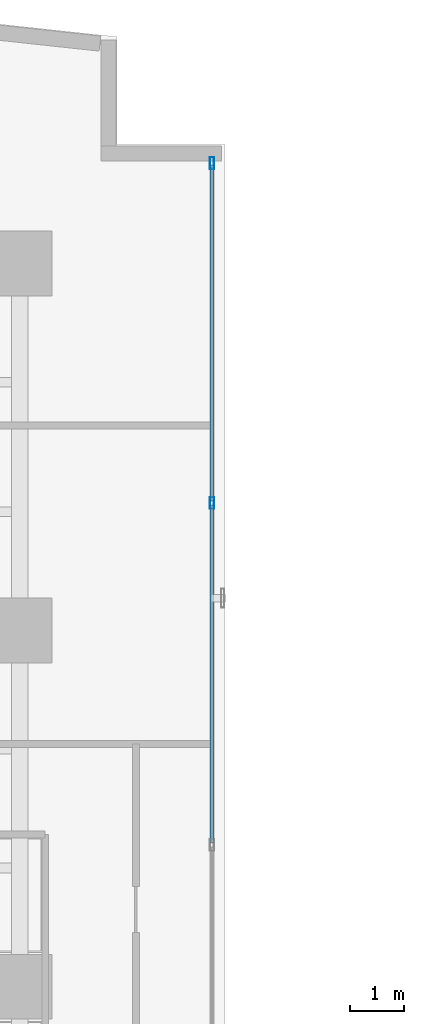
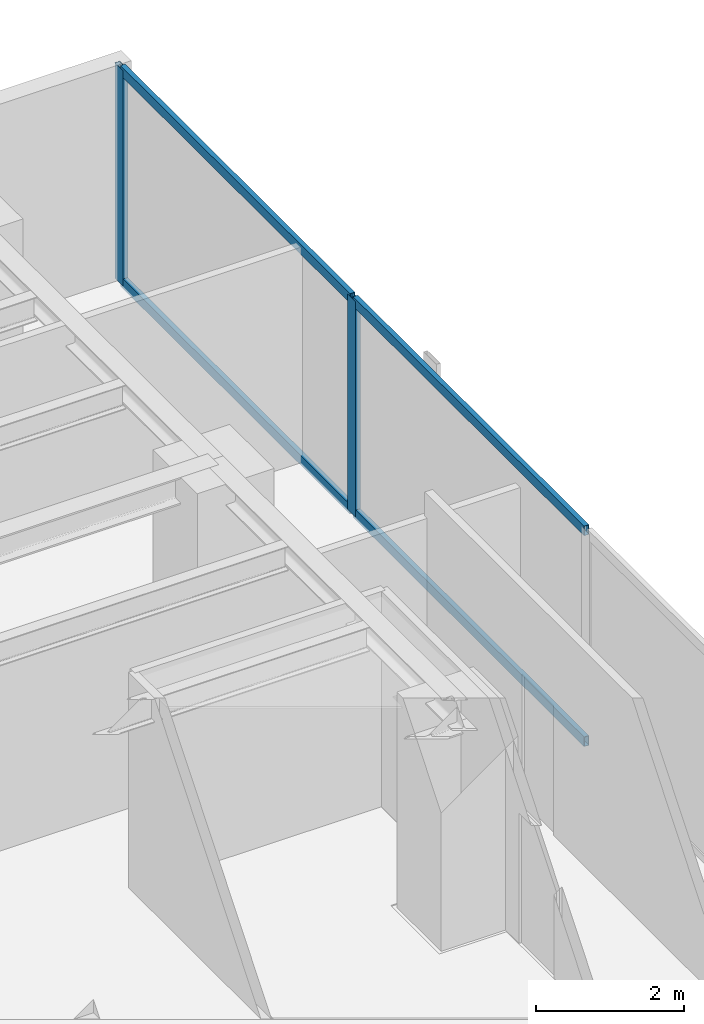
# One storey, part 17 of 26: 6 members, 1 element without a shape of its own.
"""IFC4 building model written with IfcOpenShell, lengths in metres."""

from ifc_helpers import new_model, si_unit, direction, frame, origin, origin_with_axes, origin_2d, place, context, subcontext, project, spatial, hollow_rectangle, extrude, source, transform, mapped, material, layer, layer_set, material_profile, profile_set, type_object, element, aggregate, save


model = new_model("IFC4")

# Units and contexts
model_context = context("Model", 3, precision=1e-05, world=origin(), true_north=direction((0.0, 1.0)))
body_context = subcontext(model_context, "Body", "Model", "MODEL_VIEW")
ifc_project = project(units=[si_unit("LENGTHUNIT", "METRE"), si_unit("AREAUNIT", "SQUARE_METRE"), si_unit("VOLUMEUNIT", "CUBIC_METRE"), si_unit("PLANEANGLEUNIT", "RADIAN"), si_unit("MASSUNIT", "GRAM", prefix="KILO")], contexts=[model_context])

# Site, building, storey
site_placement = place(None, origin())
site = spatial("IfcSite", under=ifc_project, at=site_placement, CompositionType="ELEMENT")
building_placement = place(site_placement, origin())
building = spatial("IfcBuilding", under=site, at=building_placement, Name="Kolvaren Waterfront Exchange", CompositionType="ELEMENT")
storey_placement = place(building_placement, frame((0.0, 0.0, 180.39990234375)))
storey = spatial("IfcBuildingStorey", under=building, at=storey_placement, Name="L46", CompositionType="ELEMENT", Elevation=180.39990234375)

# Curtain wall, members
ifc_material_1 = material(Name="Anodised bronze aluminium 6063-T6", Category="aluminium")
ifc_layer = layer(ifc_material_1, 0.219970703125, Name="Anodised bronze aluminium 6063-T6")
ifc_layer_set = layer_set([ifc_layer], Name="Anodised bronze aluminium 6063-T6")
curtain_wall_type = type_object("IfcCurtainWallType", Name="ARC-CW-SYS1", PredefinedType="USERDEFINED", material=ifc_layer_set)
curtain_wall_placement = place(storey_placement, origin())
curtain_wall = element("IfcCurtainWall", 1, at=curtain_wall_placement, inside=storey, type_object=curtain_wall_type, Name="L46 stick curtain wall CW1 (CW-L46-NE)", ObjectType="STICK CURTAIN WALL", PredefinedType="USERDEFINED")
ifc_material_2 = material(Name="Anodised aluminium 6063-T6", Category="aluminium")
ifc_material_profile_1 = material_profile(ifc_material_2, hollow_rectangle(XDim=0.080078125, YDim=0.219970703125, WallThickness=0.0048828125, at=origin_2d()), Name="ALU-MUL-220x80x5")
ifc_profile_set_1 = profile_set([ifc_material_profile_1], Name="Anodised aluminium 6063-T6")
member_type_1 = type_object("IfcMemberType", Name="ARC-CWM-220", PredefinedType="MULLION", material=ifc_profile_set_1)
shared_shape_1 = source(origin_with_axes(), body_context, "Body", "SweptSolid", [
    extrude(hollow_rectangle(XDim=0.080078125, YDim=0.219970703125, WallThickness=0.0048828125, at=origin_2d()), origin(), (0.0, 0.0, 1.0), 3.56005859375),
])
member_1_placement = place(storey_placement, frame((22.360107421875, 40.163330078125, 0.0), z_axis=(0.0, 0.0, 1.0), x_axis=(-1.0, 0.0, 0.0)))
member_1 = element("IfcMember", 2, at=member_1_placement, type_object=member_type_1, Name="CW1 mullion 3", PredefinedType="MULLION", context=body_context, shape_type="MappedRepresentation", body=[
    mapped(shared_shape_1, transform((0.0, 0.0, 0.0), x_axis=(1.0, 0.0, 0.0), y_axis=(0.0, 1.0, 0.0), z_axis=(0.0, 0.0, 1.0), scale=1.0)),
])
member_2_placement = place(storey_placement, frame((22.360107421875, 46.4599609375, 0.0), z_axis=(0.0, 0.0, 1.0), x_axis=(-1.0, 0.0, 0.0)))
member_2 = element("IfcMember", 3, at=member_2_placement, type_object=member_type_1, Name="CW1 mullion 4", PredefinedType="MULLION", context=body_context, shape_type="MappedRepresentation", body=[
    mapped(shared_shape_1, transform((0.0, 0.0, 0.0), x_axis=(1.0, 0.0, 0.0), y_axis=(0.0, 1.0, 0.0), z_axis=(0.0, 0.0, 1.0), scale=1.0)),
])
ifc_material_profile_2 = material_profile(ifc_material_2, hollow_rectangle(XDim=0.074951171875, YDim=0.159912109375, WallThickness=0.00439453125, at=origin_2d()), Name="ALU-TRN-160x75x4.5")
ifc_profile_set_2 = profile_set([ifc_material_profile_2], Name="Anodised aluminium 6063-T6")
member_type_2 = type_object("IfcMemberType", Name="ARC-CWT-160", PredefinedType="USERDEFINED", material=ifc_profile_set_2)
shared_shape_2 = source(origin_with_axes(), body_context, "Body", "SweptSolid", [
    extrude(hollow_rectangle(XDim=0.074951171875, YDim=0.159912109375, WallThickness=0.00439453125, at=origin_2d()), origin(), (0.0, 0.0, 1.0), 6.216552734375),
])
member_3_placement = place(storey_placement, frame((22.360107421875, 40.203369140625, 0.03759765625), z_axis=(0.0, 1.0, 0.0), x_axis=(-1.0, 0.0, 0.0)))
member_3 = element("IfcMember", 4, at=member_3_placement, type_object=member_type_2, Name="CW1 transom 3.1", ObjectType="TRANSOM", PredefinedType="USERDEFINED", context=body_context, shape_type="MappedRepresentation", body=[
    mapped(shared_shape_2, transform((0.0, 0.0, 0.0), x_axis=(1.0, 0.0, 0.0), y_axis=(0.0, 1.0, 0.0), z_axis=(0.0, 0.0, 1.0), scale=1.0)),
])
member_4_placement = place(storey_placement, frame((22.360107421875, 40.203369140625, 3.522705078125), z_axis=(0.0, 1.0, 0.0), x_axis=(-1.0, 0.0, 0.0)))
member_4 = element("IfcMember", 5, at=member_4_placement, type_object=member_type_2, Name="CW1 transom 3.2", ObjectType="TRANSOM", PredefinedType="USERDEFINED", context=body_context, shape_type="MappedRepresentation", body=[
    mapped(shared_shape_2, transform((0.0, 0.0, 0.0), x_axis=(1.0, 0.0, 0.0), y_axis=(0.0, 1.0, 0.0), z_axis=(0.0, 0.0, 1.0), scale=1.0)),
])
shared_shape_3 = source(origin_with_axes(), body_context, "Body", "SweptSolid", [
    extrude(hollow_rectangle(XDim=0.074951171875, YDim=0.159912109375, WallThickness=0.00439453125, at=origin_2d()), origin(), (0.0, 0.0, 1.0), 6.256591796875),
])
member_5_placement = place(storey_placement, frame((22.360107421875, 33.86669921875, 0.03759765625), z_axis=(0.0, 1.0, 0.0), x_axis=(-1.0, 0.0, 0.0)))
member_5 = element("IfcMember", 6, at=member_5_placement, type_object=member_type_2, Name="CW1 transom 2.1", ObjectType="TRANSOM", PredefinedType="USERDEFINED", context=body_context, shape_type="MappedRepresentation", body=[
    mapped(shared_shape_3, transform((0.0, 0.0, 0.0), x_axis=(1.0, 0.0, 0.0), y_axis=(0.0, 1.0, 0.0), z_axis=(0.0, 0.0, 1.0), scale=1.0)),
])
member_6_placement = place(storey_placement, frame((22.360107421875, 33.86669921875, 3.522705078125), z_axis=(0.0, 1.0, 0.0), x_axis=(-1.0, 0.0, 0.0)))
member_6 = element("IfcMember", 7, at=member_6_placement, type_object=member_type_2, Name="CW1 transom 2.2", ObjectType="TRANSOM", PredefinedType="USERDEFINED", context=body_context, shape_type="MappedRepresentation", body=[
    mapped(shared_shape_3, transform((0.0, 0.0, 0.0), x_axis=(1.0, 0.0, 0.0), y_axis=(0.0, 1.0, 0.0), z_axis=(0.0, 0.0, 1.0), scale=1.0)),
])
aggregate(curtain_wall, [member_1, member_2, member_5, member_6, member_3, member_4])

save(model, "model.ifc")
